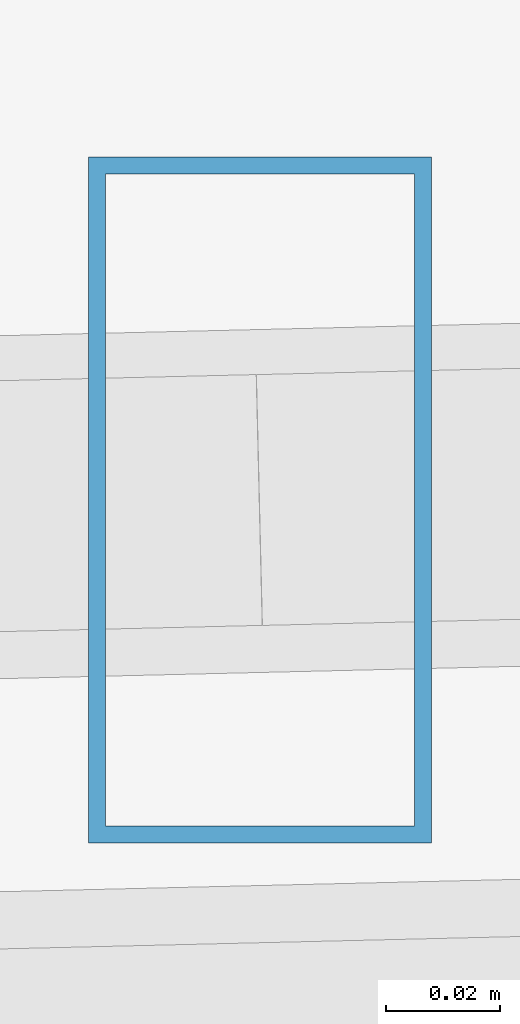
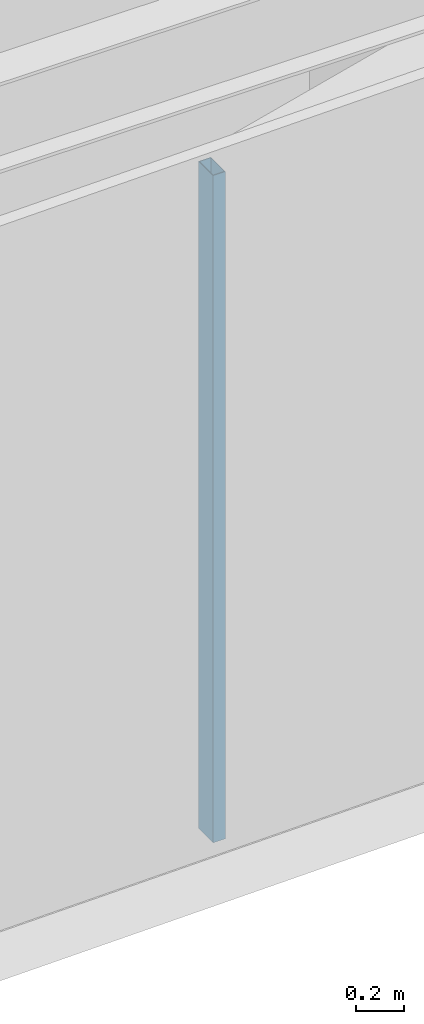
# One storey, part 13 of 45: 1 member, 1 element without a shape of its own.
"""IFC4 building model written with IfcOpenShell, lengths in metres."""

from ifc_helpers import new_model, si_unit, direction, frame, origin, origin_2d, place, context, subcontext, project, spatial, hollow_rectangle, extrude, source, transform, mapped, material, material_profile, profile_set, type_object, type_shapes, element, aggregate, save


model = new_model("IFC4")

# Units and contexts
model_context = context("Model", 3, precision=1e-05, world=origin(), true_north=direction((0.0, 1.0)))
body_context = subcontext(model_context, "Body", "Model", "MODEL_VIEW")
ifc_project = project(units=[si_unit("LENGTHUNIT", "METRE"), si_unit("AREAUNIT", "SQUARE_METRE"), si_unit("VOLUMEUNIT", "CUBIC_METRE"), si_unit("PLANEANGLEUNIT", "RADIAN"), si_unit("MASSUNIT", "GRAM", prefix="KILO")], contexts=[model_context])

# Site, building, storey
site_placement = place(None, origin())
site = spatial("IfcSite", under=ifc_project, at=site_placement, CompositionType="ELEMENT")
building_placement = place(site_placement, origin())
building = spatial("IfcBuilding", under=site, at=building_placement, Name="Caelisora Broadcast Tower", CompositionType="ELEMENT")
storey_placement = place(building_placement, frame((0.0, 0.0, 266.35009765625)))
storey = spatial("IfcBuildingStorey", under=building, at=storey_placement, Name="L70", CompositionType="ELEMENT", Elevation=266.35009765625)

# Curtain wall, member
ifc_material_1 = material(Name="Unitised Aluminium Insulated Shadow-Box Spandrel Curtain Wall", Category="aluminium")
curtain_wall_type = type_object("IfcCurtainWallType", Name="CW-SP3", PredefinedType="NOTDEFINED", material=ifc_material_1)
curtain_wall_placement = place(storey_placement, origin())
curtain_wall = element("IfcCurtainWall", 1, at=curtain_wall_placement, inside=storey, type_object=curtain_wall_type, Name="L70 curtain wall CW-SP3", PredefinedType="NOTDEFINED")
ifc_material_2 = material(Name="Aluminium 6063-T6 Anodised Terracotta Bronze", Category="aluminium")
ifc_material_profile = material_profile(ifc_material_2, hollow_rectangle(XDim=0.06005859375, YDim=0.1201171875, WallThickness=0.0029296875, at=origin_2d()), Name="Aluminium 6063-T6 Anodised Terracotta Bronze")
ifc_profile_set = profile_set([ifc_material_profile], Name="Aluminium 6063-T6 Anodised Terracotta Bronze")
member_type = type_object("IfcMemberType", Name="CWM-04", PredefinedType="MULLION", material=ifc_profile_set)
shared_shape = source(origin(), body_context, "Body", "SweptSolid", [
    extrude(hollow_rectangle(XDim=0.06005859375, YDim=0.1201171875, WallThickness=0.0029296875, at=origin_2d()), origin(), (0.0, 0.0, 1.0), 3.39990234375),
])
type_shapes(member_type, [shared_shape])
member_placement = place(storey_placement, frame((40.230224609375, 8.5380859375, 0.0), z_axis=(0.0, 0.0, 1.0), x_axis=(1.0, 0.0, 0.0)))
member = element("IfcMember", 2, at=member_placement, type_object=member_type, Name="L70-CW-B06 mullion #1", PredefinedType="MULLION", context=body_context, shape_type="MappedRepresentation", body=[
    mapped(shared_shape, transform((0.0, 0.0, 0.0), scale=1.0)),
])
aggregate(curtain_wall, [member])

save(model, "model.ifc")
